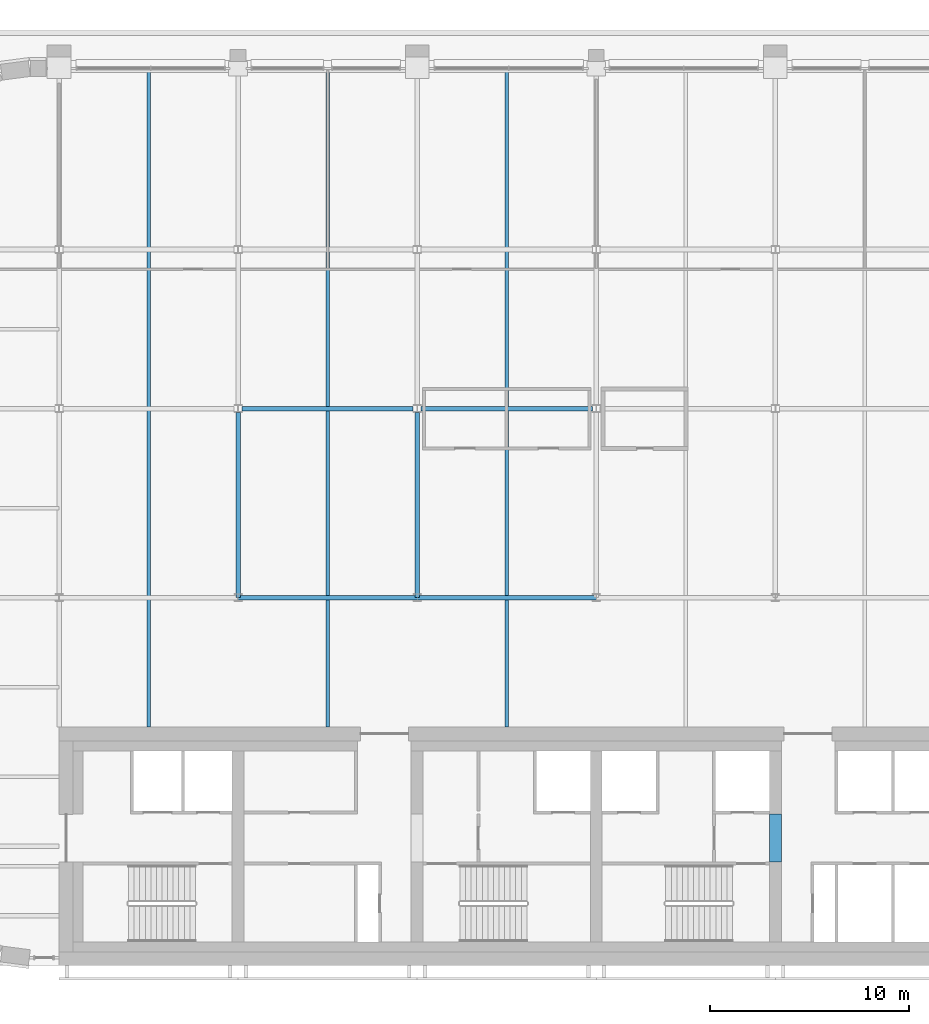
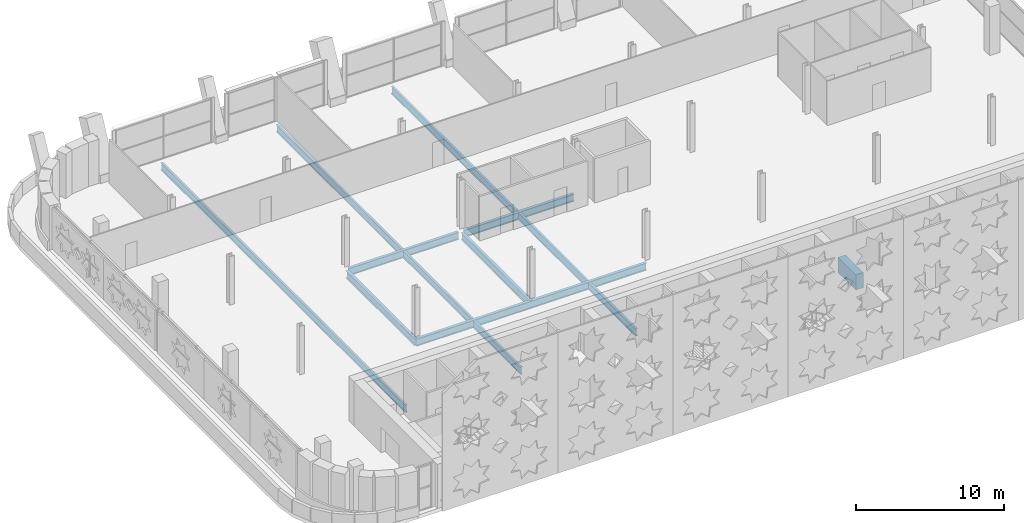
# One storey, part 6 of 25: 9 beams.
"""IFC4 building model written with IfcOpenShell, lengths in metres."""

from ifc_helpers import new_model, si_unit, direction, frame, origin, origin_2d, place, context, subcontext, project, spatial, rectangle, i_section, extrude, material, material_profile, profile_set, type_object, element, save


model = new_model("IFC4")

# Units and contexts
model_context = context("Model", 3, precision=1e-05, world=origin(), true_north=direction((0.0, 1.0)))
body_context = subcontext(model_context, "Body", "Model", "MODEL_VIEW")
ifc_project = project(units=[si_unit("LENGTHUNIT", "METRE"), si_unit("AREAUNIT", "SQUARE_METRE"), si_unit("VOLUMEUNIT", "CUBIC_METRE"), si_unit("PLANEANGLEUNIT", "RADIAN"), si_unit("MASSUNIT", "GRAM", prefix="KILO")], contexts=[model_context])

# Site, building, storey
site_placement = place(None, origin())
site = spatial("IfcSite", under=ifc_project, at=site_placement, CompositionType="ELEMENT")
building_placement = place(site_placement, origin())
building = spatial("IfcBuilding", under=site, at=building_placement, Name="Zellij Exchange Tower", CompositionType="ELEMENT")
storey_placement = place(building_placement, frame((0.0, 0.0, 264.5)))
storey = spatial("IfcBuildingStorey", under=building, at=storey_placement, Name="L62", CompositionType="ELEMENT", Elevation=264.5)

# Beams
ifc_material_1 = material(Name="Concrete C50/60", Category="concrete")
ifc_material_profile_1 = material_profile(ifc_material_1, rectangle(XDim=0.60009765625, YDim=1.25, at=origin_2d()), Name="CORE-CB 600x1250 C50/60")
ifc_profile_set_1 = profile_set([ifc_material_profile_1], Name="Concrete C50/60")
beam_type_1 = type_object("IfcBeamType", Name="CORE-CB 600x1250 C50/60", PredefinedType="BEAM", material=ifc_profile_set_1)
beam_1_placement = place(storey_placement, frame((9.0, -8.800048828125, 3.02490234375), z_axis=(0.0, 1.0, 0.0), x_axis=(-1.0, 0.0, 0.0)))
element("IfcBeam", 1, at=beam_1_placement, inside=storey, type_object=beam_type_1, Name="Core coupling beam x 9 L62", PredefinedType="BEAM", context=body_context, shape_type="SweptSolid", body=[
    extrude(rectangle(XDim=0.60009765625, YDim=1.25, at=origin_2d()), origin(), (0.0, 0.0, 1.0), 2.425048828125),
])
ifc_material_2 = material(Name="Structural steel ASTM A992 Gr 50", Category="steel")
ifc_material_profile_2 = material_profile(ifc_material_2, i_section(OverallWidth=0.177978515625, OverallDepth=0.599365234375, WebThickness=0.010009765625, FlangeThickness=0.012939453125, at=origin_2d()), Name="W24x55")
ifc_profile_set_2 = profile_set([ifc_material_profile_2], Name="Structural steel ASTM A992 Gr 50")
beam_type_2 = type_object("IfcBeamType", Name="STR-BEAM W24x55", PredefinedType="BEAM", material=ifc_profile_set_2)
for number, where, z_axis, x_axis, name in (
    (2, (-22.5, -2.0, -0.599609375), (0.0, 1.0, 0.0), (-1.0, 0.0, 0.0), "B4"),
    (3, (-13.5, -2.0, -0.599609375), (0.0, 1.0, 0.0), (-1.0, 0.0, 0.0), "B4"),
    (4, (-4.5, -2.0, -0.599609375), (0.0, 1.0, 0.0), (-1.0, 0.0, 0.0), "B4"),
):
    element("IfcBeam", number, at=place(storey_placement, frame(where, z_axis=z_axis, x_axis=x_axis)), inside=storey, type_object=beam_type_2, Name=name, PredefinedType="BEAM", context=body_context, shape_type="SweptSolid", body=[
        extrude(i_section(OverallWidth=0.177978515625, OverallDepth=0.599365234375, WebThickness=0.010009765625, FlangeThickness=0.012939453125, at=origin_2d()), origin(), (0.0, 0.0, 1.0), 33.1142578125),
    ])
ifc_material_profile_3 = material_profile(ifc_material_2, i_section(OverallWidth=0.228271484375, OverallDepth=0.607177734375, WebThickness=0.01123046875, FlangeThickness=0.017333984375, at=origin_2d()), Name="W24x76")
ifc_profile_set_3 = profile_set([ifc_material_profile_3], Name="Structural steel ASTM A992 Gr 50")
beam_type_3 = type_object("IfcBeamType", Name="STR-GIRDER W24x76", PredefinedType="BEAM", material=ifc_profile_set_3)
beam_2_placement = place(storey_placement, frame((-18.0, 4.5, -0.603515625), z_axis=(1.0, 0.0, 0.0), x_axis=(0.0, 1.0, 0.0)))
element("IfcBeam", 5, at=beam_2_placement, inside=storey, type_object=beam_type_3, Name="G2", PredefinedType="BEAM", context=body_context, shape_type="SweptSolid", body=[
    extrude(i_section(OverallWidth=0.228271484375, OverallDepth=0.607177734375, WebThickness=0.01123046875, FlangeThickness=0.017333984375, at=origin_2d()), origin(), (0.0, 0.0, 1.0), 18.0),
])
for number, where, z_axis, x_axis, name in (
    (6, (-17.800537109375, 14.0, -0.603515625), (1.0, 0.0, 0.0), (0.0, 1.0, 0.0), "G2"),
    (7, (-8.800537109375, 14.0, -0.603515625), (1.0, 0.0, 0.0), (0.0, 1.0, 0.0), "G2"),
):
    element("IfcBeam", number, at=place(storey_placement, frame(where, z_axis=z_axis, x_axis=x_axis)), inside=storey, type_object=beam_type_3, Name=name, PredefinedType="BEAM", context=body_context, shape_type="SweptSolid", body=[
        extrude(i_section(OverallWidth=0.228271484375, OverallDepth=0.607177734375, WebThickness=0.01123046875, FlangeThickness=0.017333984375, at=origin_2d()), origin(), (0.0, 0.0, 1.0), 8.60107421875),
    ])
for number, where, z_axis, x_axis, name in (
    (8, (-18.0, 4.5, -0.603515625), (0.0, 1.0, 0.0), (-1.0, 0.0, 0.0), "G2"),
    (9, (-9.0, 4.5, -0.603515625), (0.0, 1.0, 0.0), (-1.0, 0.0, 0.0), "G2"),
):
    element("IfcBeam", number, at=place(storey_placement, frame(where, z_axis=z_axis, x_axis=x_axis)), inside=storey, type_object=beam_type_3, Name=name, PredefinedType="BEAM", context=body_context, shape_type="SweptSolid", body=[
        extrude(i_section(OverallWidth=0.228271484375, OverallDepth=0.607177734375, WebThickness=0.01123046875, FlangeThickness=0.017333984375, at=origin_2d()), origin(), (0.0, 0.0, 1.0), 9.306884765625),
    ])

save(model, "model.ifc")
